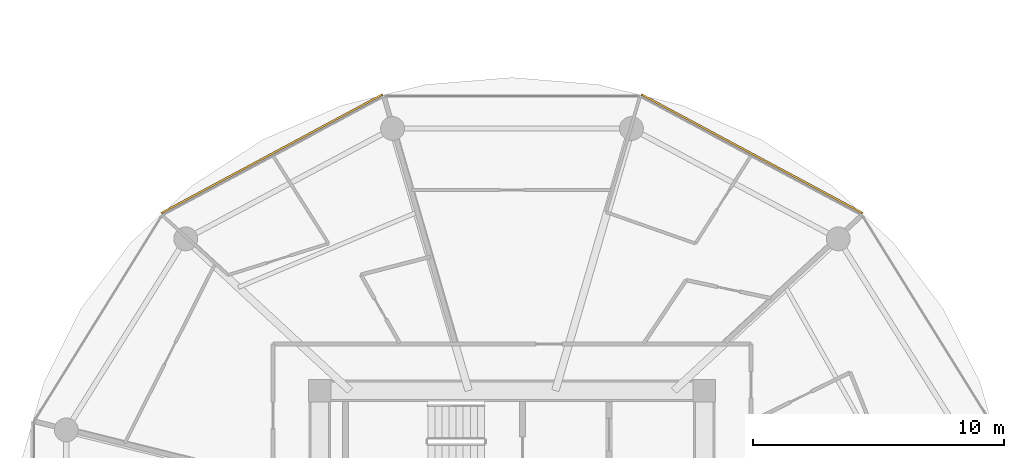
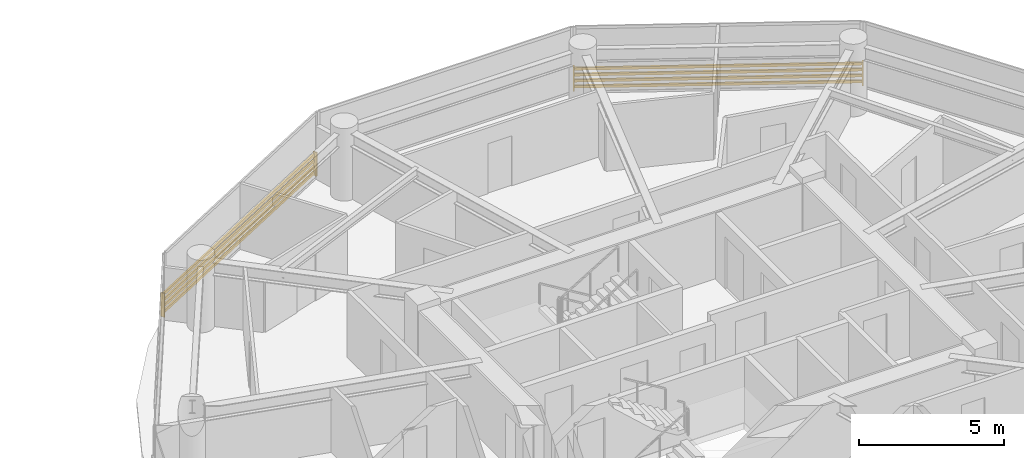
# One storey, part 25 of 25: 2 shading devices.
"""IFC4 building model written with IfcOpenShell, lengths in metres."""

from ifc_helpers import new_model, si_unit, direction, frame, origin, origin_2d, place, context, subcontext, project, spatial, rectangle, extrude, source, transform, mapped, material, type_object, type_shapes, element, save


model = new_model("IFC4")

# Units and contexts
model_context = context("Model", 3, precision=1e-05, world=origin(), true_north=direction((0.0, 1.0)))
body_context = subcontext(model_context, "Body", "Model", "MODEL_VIEW")
ifc_project = project(units=[si_unit("LENGTHUNIT", "METRE"), si_unit("AREAUNIT", "SQUARE_METRE"), si_unit("VOLUMEUNIT", "CUBIC_METRE"), si_unit("PLANEANGLEUNIT", "RADIAN"), si_unit("MASSUNIT", "GRAM", prefix="KILO")], contexts=[model_context])

# Site, building, storey
site_placement = place(None, origin())
site = spatial("IfcSite", under=ifc_project, at=site_placement, CompositionType="ELEMENT")
building_placement = place(site_placement, origin())
building = spatial("IfcBuilding", under=site, at=building_placement, Name="Norrkilde Senior Care Towers", CompositionType="ELEMENT")
storey_placement = place(building_placement, frame((0.0, 0.0, 27.699951171875)))
storey = spatial("IfcBuildingStorey", under=building, at=storey_placement, Name="L07", CompositionType="ELEMENT", Elevation=27.699951171875)

# Shading devices
ifc_material = material(Name="Architectural Terracotta", Category="masonry")
shading_device_type = type_object("IfcShadingDeviceType", Name="Horizontal Terracotta Baguette Rack", PredefinedType="USERDEFINED", material=ifc_material)
shared_shape = source(origin(), body_context, "Body", "SweptSolid", [
    extrude(rectangle(XDim=0.070068359375, YDim=0.110107421875, at=origin_2d()), frame((0.0, 0.090087890625, 0.125), z_axis=(1.0, 0.0, 0.0), x_axis=(0.0, 1.0, 0.0)), (0.0, 0.0, 1.0), 10.0107421875),
    extrude(rectangle(XDim=0.070068359375, YDim=0.110107421875, at=origin_2d()), frame((0.0, 0.090087890625, 0.375), z_axis=(1.0, 0.0, 0.0), x_axis=(0.0, 1.0, 0.0)), (0.0, 0.0, 1.0), 10.0107421875),
    extrude(rectangle(XDim=0.070068359375, YDim=0.110107421875, at=origin_2d()), frame((0.0, 0.090087890625, 0.625), z_axis=(1.0, 0.0, 0.0), x_axis=(0.0, 1.0, 0.0)), (0.0, 0.0, 1.0), 10.0107421875),
    extrude(rectangle(XDim=0.070068359375, YDim=0.110107421875, at=origin_2d()), frame((0.0, 0.090087890625, 0.875), z_axis=(1.0, 0.0, 0.0), x_axis=(0.0, 1.0, 0.0)), (0.0, 0.0, 1.0), 10.0107421875),
    extrude(rectangle(XDim=0.050048828125, YDim=0.1552734375, at=origin_2d()), frame((0.02490234375, 0.047607421875, 0.0)), (0.0, 0.0, 1.0), 1.0),
    extrude(rectangle(XDim=0.050048828125, YDim=0.1552734375, at=origin_2d()), frame((9.98583984375, 0.047607421875, 0.0)), (0.0, 0.0, 1.0), 1.0),
])
type_shapes(shading_device_type, [shared_shape])
for number, where, z_axis, x_axis, name in (
    (1, (33.093505859375, 17.6572265625, 0.080078125), (0.0, 0.0, 1.0), (0.881279875134, -0.472612428056, 0.0), "L07 Drum E Terracotta Baguette Screen 01"),
    (2, (14.084228515625, 12.926025390625, 0.080078125), (0.0, 0.0, 1.0), (0.881279875134, 0.472612428056, 0.0), "L07 Drum E Terracotta Baguette Screen 03"),
):
    element("IfcShadingDevice", number, at=place(storey_placement, frame(where, z_axis=z_axis, x_axis=x_axis)), inside=storey, type_object=shading_device_type, Name=name, ObjectType="BAGUETTE", PredefinedType="USERDEFINED", context=body_context, shape_type="MappedRepresentation", body=[
        mapped(shared_shape, transform((0.0, 0.0, 0.0), x_axis=(1.0, 0.0, 0.0), y_axis=(0.0, 1.0, 0.0), z_axis=(0.0, 0.0, 1.0), scale=1.0)),
    ])

save(model, "model.ifc")
